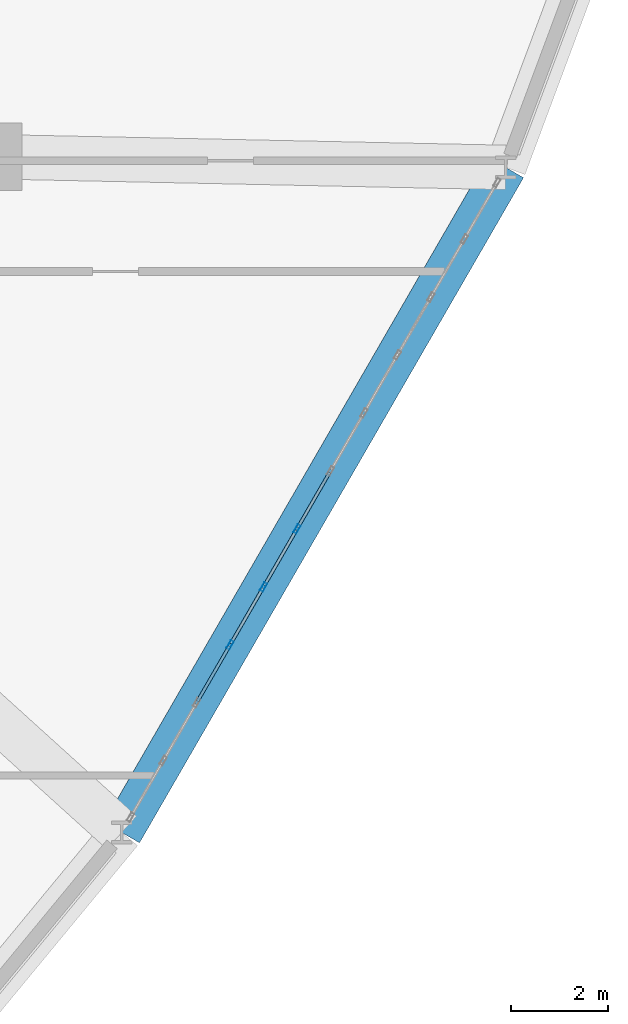
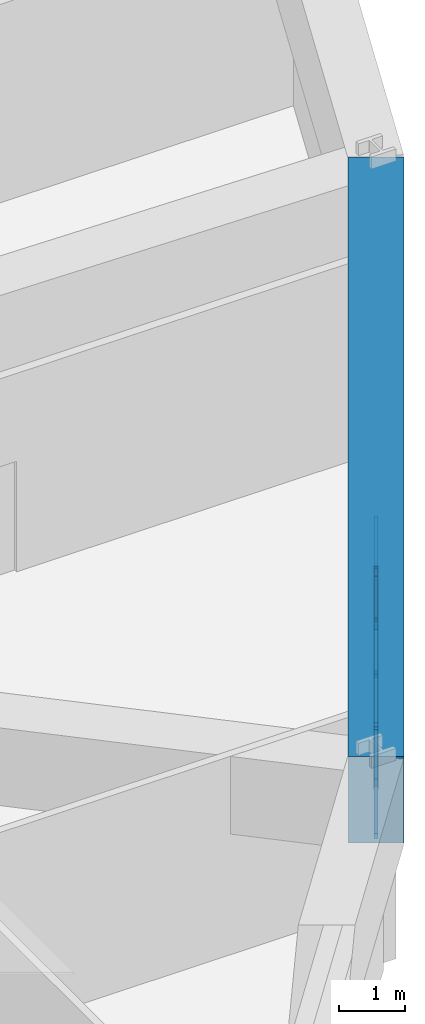
# One storey, part 7 of 20: 13 members, 1 beam, 1 element without a shape of its own.
"""IFC4 building model written with IfcOpenShell, lengths in metres."""

from ifc_helpers import new_model, si_unit, derived_unit, direction, frame, origin, origin_2d, place, context, subcontext, project, spatial, rectangle, hollow_rectangle, extrude, source, transform, mapped, material, layer, layer_set, material_profile, profile_set, type_object, element, aggregate, save


model = new_model("IFC4")

# Units and contexts
model_context = context("Model", 3, precision=1e-05, world=origin(), true_north=direction((0.0, 1.0)))
body_context = subcontext(model_context, "Body", "Model", "MODEL_VIEW")
ifc_project = project(units=[si_unit("LENGTHUNIT", "METRE"), si_unit("AREAUNIT", "SQUARE_METRE"), si_unit("VOLUMEUNIT", "CUBIC_METRE"), si_unit("PLANEANGLEUNIT", "RADIAN"), si_unit("MASSUNIT", "GRAM", prefix="KILO"), derived_unit("THERMALTRANSMITTANCEUNIT", [(si_unit("POWERUNIT", "WATT"), 1), (si_unit("LENGTHUNIT", "METRE"), -2), (si_unit("THERMODYNAMICTEMPERATUREUNIT", "KELVIN"), -1)])], contexts=[model_context])

# Site, building, storey
site_placement = place(None, origin())
site = spatial("IfcSite", under=ifc_project, at=site_placement, CompositionType="ELEMENT")
building_placement = place(site_placement, origin())
building = spatial("IfcBuilding", under=site, at=building_placement, Name="Korsvarv Bourse and Concert Hall", CompositionType="ELEMENT")
storey_placement = place(building_placement, frame((0.0, 0.0, 35.699951171875)))
storey = spatial("IfcBuildingStorey", under=building, at=storey_placement, Name="L08", CompositionType="ELEMENT", Elevation=35.699951171875)

# Beam
ifc_material_1 = material(Name="Concrete C55/67", Category="concrete")
ifc_material_profile_1 = material_profile(ifc_material_1, rectangle(XDim=0.85009765625, YDim=1.60009765625, at=origin_2d()), Name="RC-BM 850x1600")
ifc_profile_set_1 = profile_set([ifc_material_profile_1], Name="Concrete C55/67")
beam_type = type_object("IfcBeamType", Name="BM-TR1B", PredefinedType="BEAM", material=ifc_profile_set_1)
shared_shape_1 = source(origin(), body_context, "Body", "SweptSolid", [
    extrude(rectangle(XDim=0.85009765625, YDim=1.60009765625, at=origin_2d()), origin(), (0.0, 0.0, 1.0), 15.88232421875),
])
beam_placement = place(storey_placement, frame((50.563720703125, 18.422119140625, 2.880126953125), z_axis=(0.500002773106, 0.866023802725, 0.0), x_axis=(-0.866023802725, 0.500002773106, 0.0)))
element("IfcBeam", 1, at=beam_placement, inside=storey, type_object=beam_type, Name="L08 beam B-TR2", PredefinedType="BEAM", context=body_context, shape_type="MappedRepresentation", body=[
    mapped(shared_shape_1, transform((0.0, 0.0, 0.0), scale=1.0)),
])

# Curtain wall, members
ifc_material_2 = material(Name="Anodised aluminium and triple low-E glazing", Category="glass")
ifc_layer = layer(ifc_material_2, 0.219970703125)
ifc_layer_set = layer_set([ifc_layer], Name="Anodised aluminium and triple low-E glazing")
curtain_wall_type = type_object("IfcCurtainWallType", Name="CW-SYS-1", PredefinedType="NOTDEFINED", material=ifc_layer_set)
curtain_wall_placement = place(storey_placement, origin())
curtain_wall = element("IfcCurtainWall", 2, at=curtain_wall_placement, inside=storey, type_object=curtain_wall_type, Name="L08 CW1 curtain wall CW-L08-F11", PredefinedType="NOTDEFINED")
ifc_material_3 = material(Name="Extruded aluminium EN AW-6063 T66", Category="aluminium")
ifc_material_profile_2 = material_profile(ifc_material_3, hollow_rectangle(XDim=0.070068359375, YDim=0.18994140625, WallThickness=0.0048828125, at=origin_2d()), Name="ALU-M 70x190")
ifc_profile_set_2 = profile_set([ifc_material_profile_2], Name="Extruded aluminium EN AW-6063 T66")
member_type_1 = type_object("IfcMemberType", Name="CWM-190", PredefinedType="MULLION", material=ifc_profile_set_2)
shared_shape_2 = source(origin(), body_context, "Body", "SweptSolid", [
    extrude(hollow_rectangle(XDim=0.070068359375, YDim=0.18994140625, WallThickness=0.0048828125, at=origin_2d()), origin(), (0.0, 0.0, 1.0), 2.080078125),
])
member_1_placement = place(storey_placement, frame((52.8046875, 22.3037109375, 0.0), z_axis=(0.0, 0.0, 1.0), x_axis=(-0.866025616828, 0.499999630998, 0.0)))
member_1 = element("IfcMember", 3, at=member_1_placement, type_object=member_type_1, Name="CW1 mullion 4", PredefinedType="MULLION", context=body_context, shape_type="MappedRepresentation", body=[
    mapped(shared_shape_2, transform((0.0, 0.0, 0.0), scale=1.0)),
])
member_2_placement = place(storey_placement, frame((53.49658203125, 23.501953125, 0.0), z_axis=(0.0, 0.0, 1.0), x_axis=(-0.866025616828, 0.499999630998, 0.0)))
member_2 = element("IfcMember", 4, at=member_2_placement, type_object=member_type_1, Name="CW1 mullion 5", PredefinedType="MULLION", context=body_context, shape_type="MappedRepresentation", body=[
    mapped(shared_shape_2, transform((0.0, 0.0, 0.0), scale=1.0)),
])
member_3_placement = place(storey_placement, frame((54.1884765625, 24.7001953125, 0.0), z_axis=(0.0, 0.0, 1.0), x_axis=(-0.866025616828, 0.499999630998, 0.0)))
member_3 = element("IfcMember", 5, at=member_3_placement, type_object=member_type_1, Name="CW1 mullion 6", PredefinedType="MULLION", context=body_context, shape_type="MappedRepresentation", body=[
    mapped(shared_shape_2, transform((0.0, 0.0, 0.0), scale=1.0)),
])
ifc_material_profile_3 = material_profile(ifc_material_3, hollow_rectangle(XDim=0.06494140625, YDim=0.139892578125, WallThickness=0.00390625, at=origin_2d()), Name="ALU-T 65x140")
ifc_profile_set_3 = profile_set([ifc_material_profile_3], Name="Extruded aluminium EN AW-6063 T66")
member_type_2 = type_object("IfcMemberType", Name="CWT-140", PredefinedType="USERDEFINED", material=ifc_profile_set_3)
shared_shape_3 = source(origin(), body_context, "Body", "SweptSolid", [
    extrude(hollow_rectangle(XDim=0.06494140625, YDim=0.139892578125, WallThickness=0.00390625, at=origin_2d()), origin(), (0.0, 0.0, 1.0), 1.313720703125),
])
member_4_placement = place(storey_placement, frame((52.13037109375, 21.1357421875, 0.032470703125), z_axis=(0.50007633992, 0.865981324425, 0.0), x_axis=(-0.865981324425, 0.50007633992, 0.0)))
member_4 = element("IfcMember", 6, at=member_4_placement, type_object=member_type_2, Name="CW1 transom 3.1", ObjectType="TRANSOM", PredefinedType="USERDEFINED", context=body_context, shape_type="MappedRepresentation", body=[
    mapped(shared_shape_3, transform((0.0, 0.0, 0.0), scale=1.0)),
])
member_5_placement = place(storey_placement, frame((52.13037109375, 21.1357421875, 2.047607421875), z_axis=(0.50007633992, 0.865981324425, 0.0), x_axis=(-0.865981324425, 0.50007633992, 0.0)))
member_5 = element("IfcMember", 7, at=member_5_placement, type_object=member_type_2, Name="CW1 transom 3.2", ObjectType="TRANSOM", PredefinedType="USERDEFINED", context=body_context, shape_type="MappedRepresentation", body=[
    mapped(shared_shape_3, transform((0.0, 0.0, 0.0), scale=1.0)),
])
member_6_placement = place(storey_placement, frame((52.822265625, 22.333984375, 0.032470703125), z_axis=(0.499936960004, 0.866061796884, 0.0), x_axis=(-0.866061796884, 0.499936960004, 0.0)))
member_6 = element("IfcMember", 8, at=member_6_placement, type_object=member_type_2, Name="CW1 transom 4.1", ObjectType="TRANSOM", PredefinedType="USERDEFINED", context=body_context, shape_type="MappedRepresentation", body=[
    mapped(shared_shape_3, transform((0.0, 0.0, 0.0), scale=1.0)),
])
member_7_placement = place(storey_placement, frame((52.822265625, 22.333984375, 2.047607421875), z_axis=(0.499936960004, 0.866061796884, 0.0), x_axis=(-0.866061796884, 0.499936960004, 0.0)))
member_7 = element("IfcMember", 9, at=member_7_placement, type_object=member_type_2, Name="CW1 transom 4.2", ObjectType="TRANSOM", PredefinedType="USERDEFINED", context=body_context, shape_type="MappedRepresentation", body=[
    mapped(shared_shape_3, transform((0.0, 0.0, 0.0), scale=1.0)),
])
ifc_material_profile_4 = material_profile(ifc_material_3, hollow_rectangle(XDim=0.06494140625, YDim=0.1650390625, WallThickness=0.0048828125, at=origin_2d()), Name="ALU-M 65x165")
ifc_profile_set_4 = profile_set([ifc_material_profile_4], Name="Extruded aluminium EN AW-6063 T66")
member_type_3 = type_object("IfcMemberType", Name="CWM-165", PredefinedType="MULLION", material=ifc_profile_set_4)
shared_shape_4 = source(origin(), body_context, "Body", "SweptSolid", [
    extrude(hollow_rectangle(XDim=0.06494140625, YDim=0.1650390625, WallThickness=0.0048828125, at=origin_2d()), origin(), (0.0, 0.0, 1.0), 2.351318359375),
])
member_8_placement = place(storey_placement, frame((52.13037109375, 21.1357421875, 0.06494140625), z_axis=(0.279396586989, 0.483830581705, 0.829364525035), x_axis=(-0.865981324425, 0.50007633992, 0.0)))
member_8 = element("IfcMember", 10, at=member_8_placement, type_object=member_type_3, Name="CW1 diagonal mullion 3", PredefinedType="MULLION", context=body_context, shape_type="MappedRepresentation", body=[
    mapped(shared_shape_4, transform((0.0, 0.0, 0.0), scale=1.0)),
])
member_9_placement = place(storey_placement, frame((54.862548828125, 25.867919921875, 0.06494140625), z_axis=(-0.279314892316, -0.483765086728, 0.829430245285), x_axis=(0.866015334839, -0.500017439519, 0.0)))
member_9 = element("IfcMember", 11, at=member_9_placement, type_object=member_type_3, Name="CW1 diagonal mullion 6", PredefinedType="MULLION", context=body_context, shape_type="MappedRepresentation", body=[
    mapped(shared_shape_4, transform((0.0, 0.0, 0.0), scale=1.0)),
])
shared_shape_5 = source(origin(), body_context, "Body", "SweptSolid", [
    extrude(hollow_rectangle(XDim=0.06494140625, YDim=0.139892578125, WallThickness=0.00390625, at=origin_2d()), origin(), (0.0, 0.0, 1.0), 1.3134765625),
])
member_10_placement = place(storey_placement, frame((53.51416015625, 23.5322265625, 0.032470703125), z_axis=(0.500017439519, 0.866015334839, 0.0), x_axis=(-0.866015334839, 0.500017439519, 0.0)))
member_10 = element("IfcMember", 12, at=member_10_placement, type_object=member_type_2, Name="CW1 transom 5.1", ObjectType="TRANSOM", PredefinedType="USERDEFINED", context=body_context, shape_type="MappedRepresentation", body=[
    mapped(shared_shape_5, transform((0.0, 0.0, 0.0), scale=1.0)),
])
member_11_placement = place(storey_placement, frame((53.51416015625, 23.5322265625, 2.047607421875), z_axis=(0.500017439519, 0.866015334839, 0.0), x_axis=(-0.866015334839, 0.500017439519, 0.0)))
member_11 = element("IfcMember", 13, at=member_11_placement, type_object=member_type_2, Name="CW1 transom 5.2", ObjectType="TRANSOM", PredefinedType="USERDEFINED", context=body_context, shape_type="MappedRepresentation", body=[
    mapped(shared_shape_5, transform((0.0, 0.0, 0.0), scale=1.0)),
])
member_12_placement = place(storey_placement, frame((54.205810546875, 24.73046875, 0.032470703125), z_axis=(0.500017439519, 0.866015334839, 0.0), x_axis=(-0.866015334839, 0.500017439519, 0.0)))
member_12 = element("IfcMember", 14, at=member_12_placement, type_object=member_type_2, Name="CW1 transom 6.1", ObjectType="TRANSOM", PredefinedType="USERDEFINED", context=body_context, shape_type="MappedRepresentation", body=[
    mapped(shared_shape_5, transform((0.0, 0.0, 0.0), scale=1.0)),
])
member_13_placement = place(storey_placement, frame((54.205810546875, 24.73046875, 2.047607421875), z_axis=(0.500017439519, 0.866015334839, 0.0), x_axis=(-0.866015334839, 0.500017439519, 0.0)))
member_13 = element("IfcMember", 15, at=member_13_placement, type_object=member_type_2, Name="CW1 transom 6.2", ObjectType="TRANSOM", PredefinedType="USERDEFINED", context=body_context, shape_type="MappedRepresentation", body=[
    mapped(shared_shape_5, transform((0.0, 0.0, 0.0), scale=1.0)),
])
aggregate(curtain_wall, [member_1, member_2, member_3, member_4, member_5, member_8, member_6, member_7, member_10, member_11, member_12, member_13, member_9])

save(model, "model.ifc")
